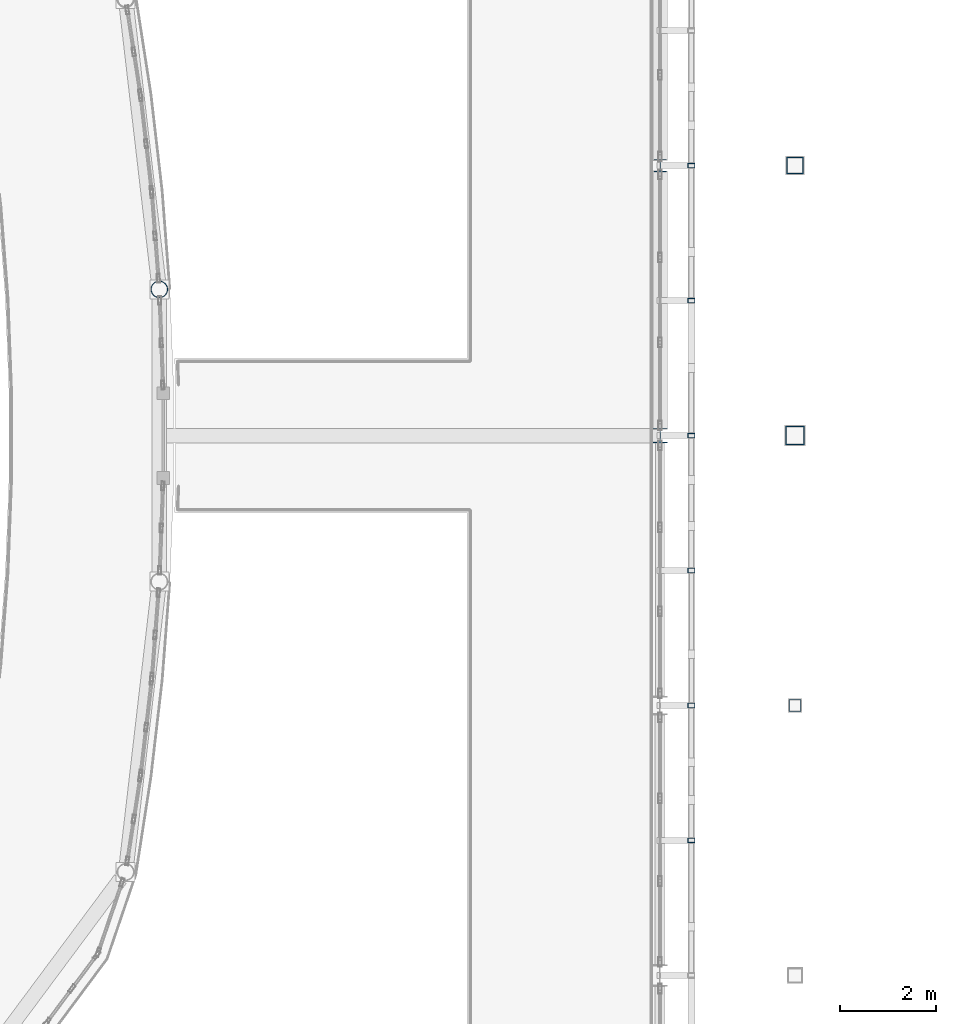
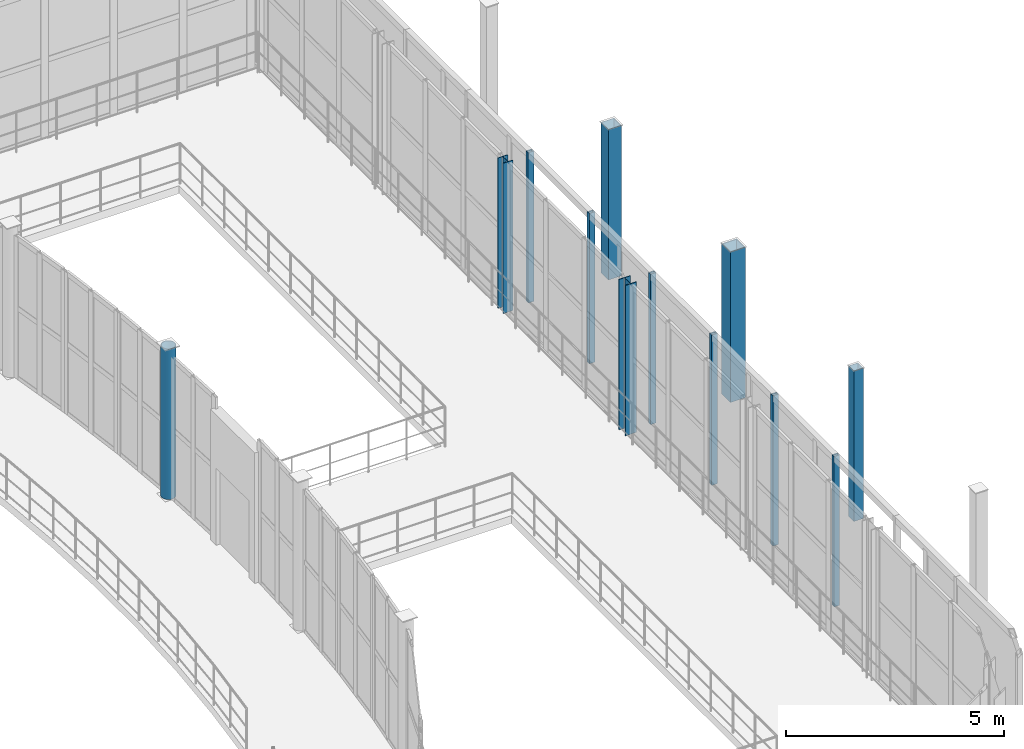
# One storey, part 10 of 138: 12 columns.
"""IFC4 building model written with IfcOpenShell, lengths in metres."""

from ifc_helpers import new_model, si_unit, direction, frame, origin, origin_2d, place, context, subcontext, project, spatial, hollow_rectangle, hollow_circle, i_section, extrude, material, material_profile, profile_set, type_object, element, save


model = new_model("IFC4")

# Units and contexts
model_context = context("Model", 3, precision=1e-05, world=origin(), true_north=direction((0.0, 1.0)))
body_context = subcontext(model_context, "Body", "Model", "MODEL_VIEW")
ifc_project = project(units=[si_unit("LENGTHUNIT", "METRE"), si_unit("AREAUNIT", "SQUARE_METRE"), si_unit("VOLUMEUNIT", "CUBIC_METRE"), si_unit("PLANEANGLEUNIT", "RADIAN"), si_unit("MASSUNIT", "GRAM", prefix="KILO")], contexts=[model_context])

# Site, building, storey
site_placement = place(None, origin())
site = spatial("IfcSite", under=ifc_project, at=site_placement, CompositionType="ELEMENT")
building_placement = place(site_placement, origin())
building = spatial("IfcBuilding", under=site, at=building_placement, Name="Vinh Khe Railworks Police Headquarters", CompositionType="ELEMENT")
storey_placement = place(building_placement, frame((0.0, 0.0, 9.0)))
storey = spatial("IfcBuildingStorey", under=building, at=storey_placement, Name="L02", CompositionType="ELEMENT", Elevation=9.0)

# Columns
ifc_material = material(Name="Steel S355JR", Category="steel")
ifc_material_profile_1 = material_profile(ifc_material, hollow_rectangle(XDim=0.14990234375, YDim=0.10009765625, WallThickness=0.008056640625, at=origin_2d()), Name="RHS 150x100x8")
ifc_profile_set_1 = profile_set([ifc_material_profile_1], Name="Steel S355JR")
column_type_1 = type_object("IfcColumnType", Name="COL-QUILT-POST", PredefinedType="COLUMN", material=ifc_profile_set_1)
for number, where, z_axis, x_axis, name in (
    (1, (60.64990234375, 33.60009765625, 0.0), (0.0, 0.0, 1.0), (1.0, 0.0, 0.0), "Patchwork Quilt Carrier Column E-4 (L02)"),
    (2, (60.64990234375, 36.39990234375, 0.0), (0.0, 0.0, 1.0), (1.0, 0.0, 0.0), "Patchwork Quilt Carrier Column E-5 (L02)"),
    (3, (60.64990234375, 39.199951171875, 0.0), (0.0, 0.0, 1.0), (1.0, 0.0, 0.0), "Patchwork Quilt Carrier Column E-6 (L02)"),
    (4, (60.64990234375, 42.0, 0.0), (0.0, 0.0, 1.0), (1.0, 0.0, 0.0), "Patchwork Quilt Carrier Column E-7 (L02)"),
    (5, (60.64990234375, 44.800048828125, 0.0), (0.0, 0.0, 1.0), (1.0, 0.0, 0.0), "Patchwork Quilt Carrier Column E-8 (L02)"),
    (6, (60.64990234375, 47.60009765625, 0.0), (0.0, 0.0, 1.0), (1.0, 0.0, 0.0), "Patchwork Quilt Carrier Column E-9 (L02)"),
):
    element("IfcColumn", number, at=place(storey_placement, frame(where, z_axis=z_axis, x_axis=x_axis)), inside=storey, type_object=column_type_1, Name=name, PredefinedType="COLUMN", context=body_context, shape_type="SweptSolid", body=[
        extrude(hollow_rectangle(XDim=0.14990234375, YDim=0.10009765625, WallThickness=0.008056640625, at=origin_2d()), origin(), (0.0, 0.0, 1.0), 4.199951171875),
    ])
ifc_material_profile_2 = material_profile(ifc_material, hollow_circle(Radius=0.177734375, WallThickness=0.01611328125, at=origin_2d()), Name="CHS 355.6x16")
ifc_profile_set_2 = profile_set([ifc_material_profile_2], Name="Steel S355JR")
column_type_2 = type_object("IfcColumnType", Name="Steel Column CHS 355.6x16", PredefinedType="COLUMN", material=ifc_profile_set_2)
column_1_placement = place(storey_placement, frame((49.6123046875, 45.031982421875, 0.0), z_axis=(0.0, 0.0, 1.0), x_axis=(0.997039347045, 0.076893045491, 0.0)))
element("IfcColumn", 7, at=column_1_placement, inside=storey, type_object=column_type_2, Name="Column COL-L02-SC-27-0957", PredefinedType="COLUMN", context=body_context, shape_type="SweptSolid", body=[
    extrude(hollow_circle(Radius=0.177734375, WallThickness=0.01611328125, at=origin_2d()), origin(), (0.0, 0.0, 1.0), 4.199951171875),
])
ifc_material_profile_3 = material_profile(ifc_material, i_section(OverallWidth=0.260009765625, OverallDepth=0.260009765625, WebThickness=0.010009765625, FlangeThickness=0.017578125, FilletRadius=0.02392578125, at=origin_2d()), Name="HEB 260")
ifc_profile_set_3 = profile_set([ifc_material_profile_3], Name="Steel S355JR")
column_type_3 = type_object("IfcColumnType", Name="Steel Column HEB 260", PredefinedType="COLUMN", material=ifc_profile_set_3)
column_2_placement = place(storey_placement, frame((60.0, 47.60009765625, 0.0), z_axis=(0.0, 0.0, 1.0), x_axis=(1.0, 0.0, 0.0)))
element("IfcColumn", 8, at=column_2_placement, inside=storey, type_object=column_type_3, Name="Column COL-L02-SC-12-1030", PredefinedType="COLUMN", context=body_context, shape_type="SweptSolid", body=[
    extrude(i_section(OverallWidth=0.260009765625, OverallDepth=0.260009765625, WebThickness=0.010009765625, FlangeThickness=0.017578125, FilletRadius=0.02392578125, at=origin_2d()), origin(), (0.0, 0.0, 1.0), 4.199951171875),
])
ifc_material_profile_4 = material_profile(ifc_material, i_section(OverallWidth=0.300048828125, OverallDepth=0.300048828125, WebThickness=0.010986328125, FlangeThickness=0.01904296875, FilletRadius=0.027099609375, at=origin_2d()), Name="HEB 300")
ifc_profile_set_4 = profile_set([ifc_material_profile_4], Name="Steel S355JR")
column_type_4 = type_object("IfcColumnType", Name="Steel Column HEB 300", PredefinedType="COLUMN", material=ifc_profile_set_4)
column_3_placement = place(storey_placement, frame((60.0, 42.0, 0.0), z_axis=(0.0, 0.0, 1.0), x_axis=(1.0, 0.0, 0.0)))
element("IfcColumn", 9, at=column_3_placement, inside=storey, type_object=column_type_4, Name="Column COL-L02-SC-11-1025", PredefinedType="COLUMN", context=body_context, shape_type="SweptSolid", body=[
    extrude(i_section(OverallWidth=0.300048828125, OverallDepth=0.300048828125, WebThickness=0.010986328125, FlangeThickness=0.01904296875, FilletRadius=0.027099609375, at=origin_2d()), origin(), (0.0, 0.0, 1.0), 4.199951171875),
])
ifc_material_profile_5 = material_profile(ifc_material, hollow_rectangle(XDim=0.25, YDim=0.25, WallThickness=0.012451171875, at=origin_2d()), Name="SHS 250x250x12.5")
ifc_profile_set_5 = profile_set([ifc_material_profile_5], Name="Steel S355JR")
column_type_5 = type_object("IfcColumnType", Name="Steel Column SHS 250x250x12.5", PredefinedType="COLUMN", material=ifc_profile_set_5)
column_4_placement = place(storey_placement, frame((62.800048828125, 36.39990234375, 0.0), z_axis=(0.0, 0.0, 1.0), x_axis=(1.0, 0.0, 0.0)))
element("IfcColumn", 10, at=column_4_placement, inside=storey, type_object=column_type_5, Name="Column COL-L02-SC-24-1084", PredefinedType="COLUMN", context=body_context, shape_type="SweptSolid", body=[
    extrude(hollow_rectangle(XDim=0.25, YDim=0.25, WallThickness=0.012451171875, at=origin_2d()), origin(), (0.0, 0.0, 1.0), 4.199951171875),
])
ifc_material_profile_6 = material_profile(ifc_material, hollow_rectangle(XDim=0.35009765625, YDim=0.35009765625, WallThickness=0.01611328125, at=origin_2d()), Name="SHS 350x350x16")
ifc_profile_set_6 = profile_set([ifc_material_profile_6], Name="Steel S355JR")
column_type_6 = type_object("IfcColumnType", Name="Steel Column SHS 350x350x16", PredefinedType="COLUMN", material=ifc_profile_set_6)
column_5_placement = place(storey_placement, frame((62.800048828125, 47.60009765625, 0.0), z_axis=(0.0, 0.0, 1.0), x_axis=(1.0, 0.0, 0.0)))
element("IfcColumn", 11, at=column_5_placement, inside=storey, type_object=column_type_6, Name="Column COL-L02-SC-22-1094", PredefinedType="COLUMN", context=body_context, shape_type="SweptSolid", body=[
    extrude(hollow_rectangle(XDim=0.35009765625, YDim=0.35009765625, WallThickness=0.01611328125, at=origin_2d()), origin(), (0.0, 0.0, 1.0), 4.199951171875),
])
ifc_material_profile_7 = material_profile(ifc_material, hollow_rectangle(XDim=0.39990234375, YDim=0.39990234375, WallThickness=0.02001953125, at=origin_2d()), Name="SHS 400x400x20")
ifc_profile_set_7 = profile_set([ifc_material_profile_7], Name="Steel S355JR")
column_type_7 = type_object("IfcColumnType", Name="Steel Column SHS 400x400x20", PredefinedType="COLUMN", material=ifc_profile_set_7)
column_6_placement = place(storey_placement, frame((62.800048828125, 42.0, 0.0), z_axis=(0.0, 0.0, 1.0), x_axis=(1.0, 0.0, 0.0)))
element("IfcColumn", 12, at=column_6_placement, inside=storey, type_object=column_type_7, Name="Column COL-L02-SC-21-1089", PredefinedType="COLUMN", context=body_context, shape_type="SweptSolid", body=[
    extrude(hollow_rectangle(XDim=0.39990234375, YDim=0.39990234375, WallThickness=0.02001953125, at=origin_2d()), origin(), (0.0, 0.0, 1.0), 4.199951171875),
])

save(model, "model.ifc")
